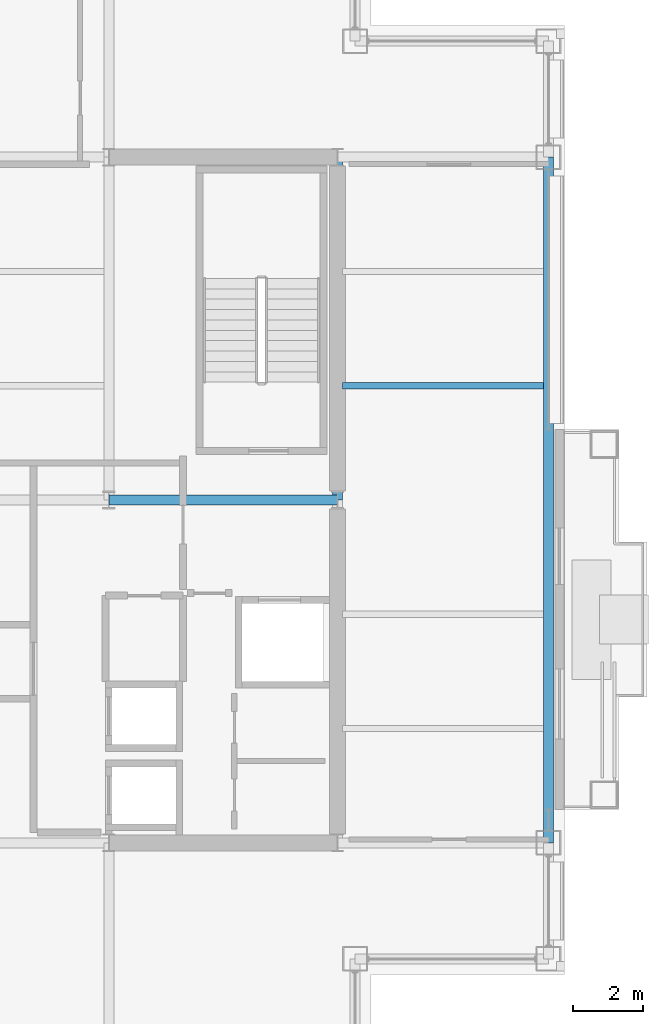
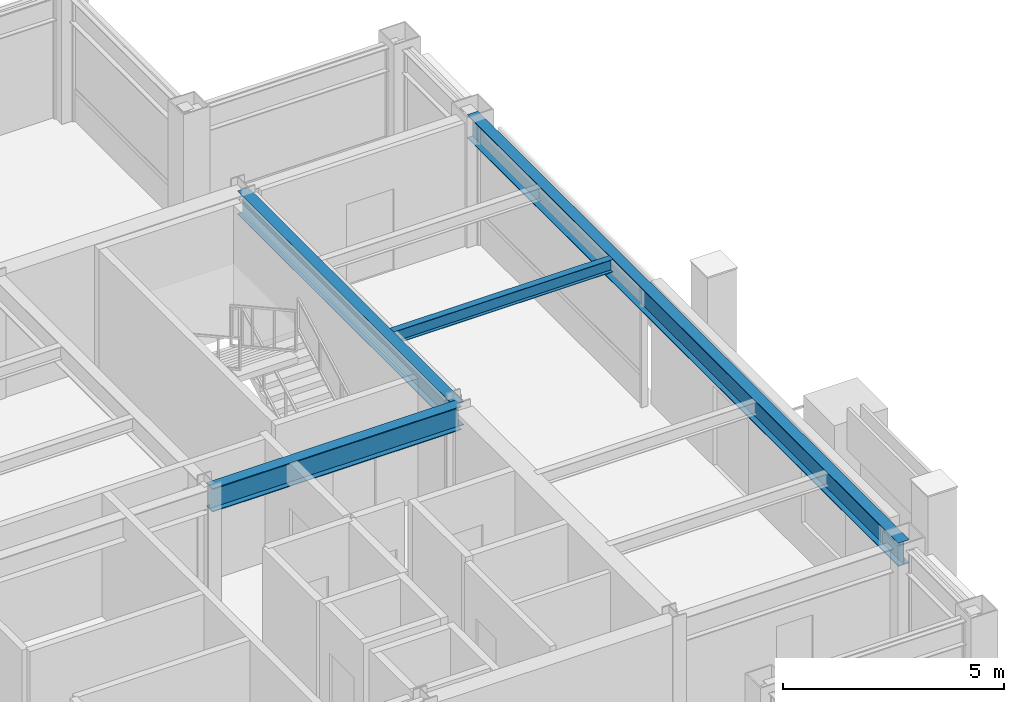
# One storey, part 15 of 28: 4 beams.
"""IFC4 building model written with IfcOpenShell, lengths in metres."""

from ifc_helpers import new_model, si_unit, direction, frame, origin, origin_2d, place, context, subcontext, project, spatial, i_section, extrude, material, material_profile, profile_set, type_object, element, save


model = new_model("IFC4")

# Units and contexts
model_context = context("Model", 3, precision=1e-05, world=origin(), true_north=direction((0.0, 1.0)))
body_context = subcontext(model_context, "Body", "Model", "MODEL_VIEW")
ifc_project = project(units=[si_unit("LENGTHUNIT", "METRE"), si_unit("AREAUNIT", "SQUARE_METRE"), si_unit("VOLUMEUNIT", "CUBIC_METRE"), si_unit("PLANEANGLEUNIT", "RADIAN"), si_unit("MASSUNIT", "GRAM", prefix="KILO")], contexts=[model_context])

# Site, building, storey
site_placement = place(None, origin())
site = spatial("IfcSite", under=ifc_project, at=site_placement, CompositionType="ELEMENT")
building_placement = place(site_placement, origin())
building = spatial("IfcBuilding", under=site, at=building_placement, Name="Brelmoor Portico Tower", CompositionType="ELEMENT")
storey_placement = place(building_placement, frame((0.0, 0.0, 191.10009765625)))
storey = spatial("IfcBuildingStorey", under=building, at=storey_placement, Name="L50", CompositionType="ELEMENT", Elevation=191.10009765625)

# Beams
ifc_material = material(Name="Steel Q355B", Category="steel")
ifc_material_profile_1 = material_profile(ifc_material, i_section(OverallWidth=0.175048828125, OverallDepth=0.35009765625, WebThickness=0.007080078125, FlangeThickness=0.010986328125, at=origin_2d()), Name="HN 350x175x7x11")
ifc_profile_set_1 = profile_set([ifc_material_profile_1], Name="Steel Q355B")
beam_type_1 = type_object("IfcBeamType", Name="BM-JS-350", PredefinedType="JOIST", material=ifc_profile_set_1)
beam_1_placement = place(storey_placement, frame((14.68994140625, 3.25, 3.224853515625), z_axis=(1.0, 0.0, 0.0), x_axis=(0.0, 1.0, 0.0)))
element("IfcBeam", 1, at=beam_1_placement, inside=storey, type_object=beam_type_1, Name="L50 Secondary Wing Joist JS-E11", PredefinedType="JOIST", context=body_context, shape_type="SweptSolid", body=[
    extrude(i_section(OverallWidth=0.175048828125, OverallDepth=0.35009765625, WebThickness=0.007080078125, FlangeThickness=0.010986328125, at=origin_2d()), origin(), (0.0, 0.0, 1.0), 5.719970703125),
])
ifc_material_profile_2 = material_profile(ifc_material, i_section(OverallWidth=0.280029296875, OverallDepth=0.64990234375, WebThickness=0.012939453125, FlangeThickness=0.02197265625, at=origin_2d()), Name="HN 650x280x13x22")
ifc_profile_set_2 = profile_set([ifc_material_profile_2], Name="Steel Q355B")
beam_type_2 = type_object("IfcBeamType", Name="BM-PG-650", PredefinedType="BEAM", material=ifc_profile_set_2)
beam_2_placement = place(storey_placement, frame((14.550048828125, 0.0, 3.074951171875), z_axis=(0.0, 1.0, 0.0), x_axis=(-1.0, 0.0, 0.0)))
element("IfcBeam", 2, at=beam_2_placement, inside=storey, type_object=beam_type_2, Name="L50 Primary Floor Girder PG-10", PredefinedType="BEAM", context=body_context, shape_type="SweptSolid", body=[
    extrude(i_section(OverallWidth=0.280029296875, OverallDepth=0.64990234375, WebThickness=0.012939453125, FlangeThickness=0.02197265625, at=origin_2d()), origin(), (0.0, 0.0, 1.0), 9.75),
])
beam_3_placement = place(storey_placement, frame((8.050048828125, 0.0, 3.074951171875), z_axis=(1.0, 0.0, 0.0), x_axis=(0.0, 1.0, 0.0)))
element("IfcBeam", 3, at=beam_3_placement, inside=storey, type_object=beam_type_2, Name="L50 Primary Floor Girder PG-18", PredefinedType="BEAM", context=body_context, shape_type="SweptSolid", body=[
    extrude(i_section(OverallWidth=0.280029296875, OverallDepth=0.64990234375, WebThickness=0.012939453125, FlangeThickness=0.02197265625, at=origin_2d()), origin(), (0.0, 0.0, 1.0), 6.5),
])
ifc_material_profile_3 = material_profile(ifc_material, i_section(OverallWidth=0.280029296875, OverallDepth=0.64990234375, WebThickness=0.012939453125, FlangeThickness=0.02197265625, at=origin_2d()), Name="HN 650x280x13x22")
ifc_profile_set_3 = profile_set([ifc_material_profile_3], Name="Steel Q355B")
beam_type_3 = type_object("IfcBeamType", Name="BM-SP-650", PredefinedType="SPANDREL", material=ifc_profile_set_3)
beam_4_placement = place(storey_placement, frame((20.550048828125, -9.75, 3.074951171875), z_axis=(0.0, 1.0, 0.0), x_axis=(-1.0, 0.0, 0.0)))
element("IfcBeam", 4, at=beam_4_placement, inside=storey, type_object=beam_type_3, Name="L50 Perimeter Spandrel Beam SP-19", PredefinedType="SPANDREL", context=body_context, shape_type="SweptSolid", body=[
    extrude(i_section(OverallWidth=0.280029296875, OverallDepth=0.64990234375, WebThickness=0.012939453125, FlangeThickness=0.02197265625, at=origin_2d()), origin(), (0.0, 0.0, 1.0), 19.5),
])

save(model, "model.ifc")
